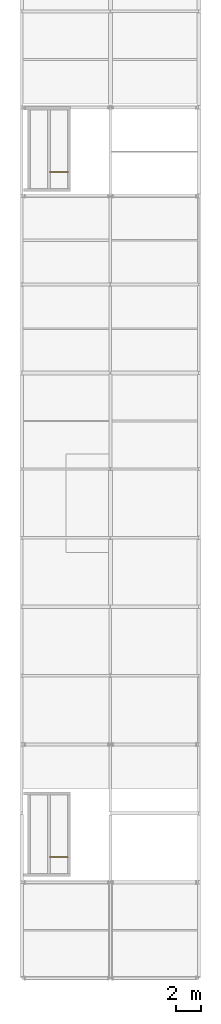
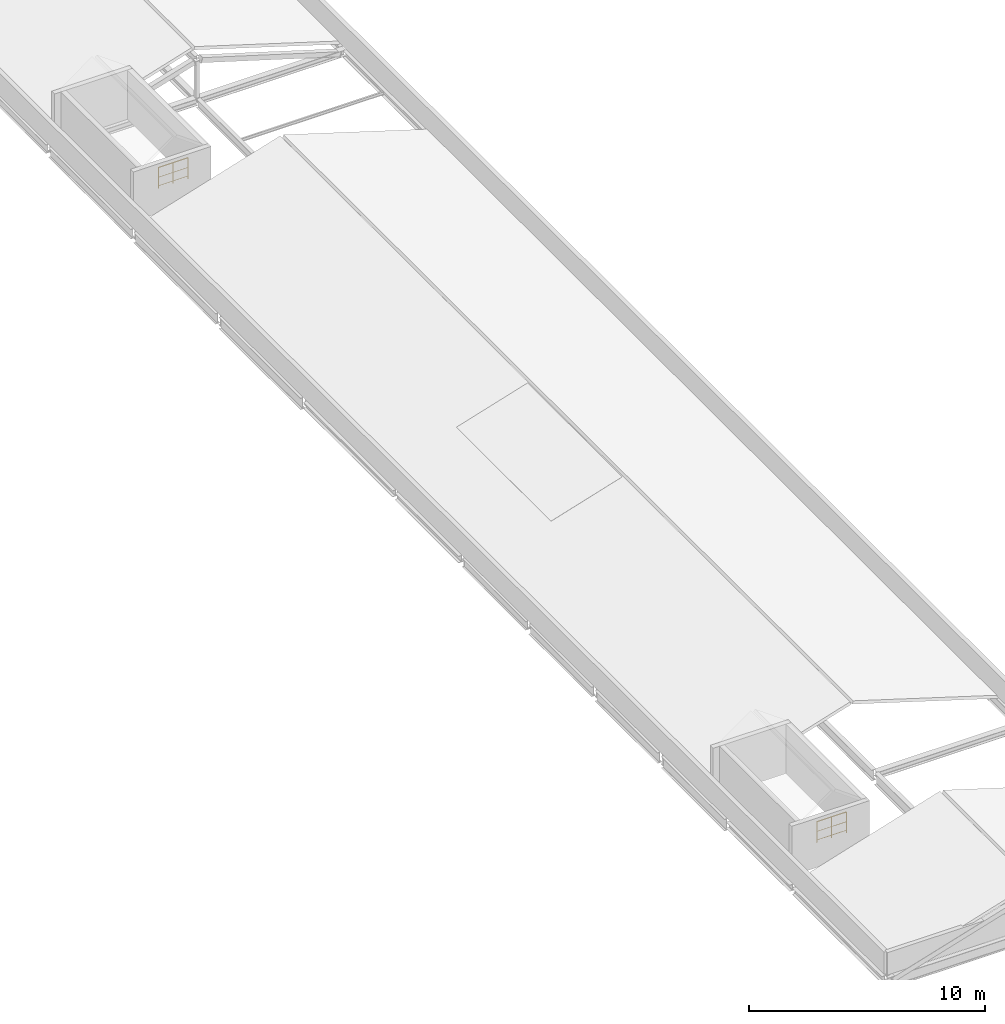
# One storey, part 9 of 9: 2 railings.
"""IFC4 building model written with IfcOpenShell, lengths in metres."""

from ifc_helpers import new_model, si_unit, direction, frame, origin, origin_2d, place, context, subcontext, project, spatial, circle, extrude, material, type_object, element, save


model = new_model("IFC4")

# Units and contexts
model_context = context("Model", 3, precision=1e-05, world=origin(), true_north=direction((0.0, 1.0)))
body_context = subcontext(model_context, "Body", "Model", "MODEL_VIEW")
ifc_project = project(units=[si_unit("LENGTHUNIT", "METRE"), si_unit("AREAUNIT", "SQUARE_METRE"), si_unit("VOLUMEUNIT", "CUBIC_METRE"), si_unit("PLANEANGLEUNIT", "RADIAN"), si_unit("MASSUNIT", "GRAM", prefix="KILO")], contexts=[model_context])

# Site, building, storey
site_placement = place(None, origin())
site = spatial("IfcSite", under=ifc_project, at=site_placement, CompositionType="ELEMENT")
building_placement = place(site_placement, origin())
building = spatial("IfcBuilding", under=site, at=building_placement, Name="Vinh Khe Railworks Police Headquarters", CompositionType="ELEMENT")
storey_placement = place(building_placement, frame((0.0, 0.0, 36.60009765625)))
storey = spatial("IfcBuildingStorey", under=building, at=storey_placement, Name="RF", CompositionType="ELEMENT", Elevation=36.60009765625)

# Railings
ifc_material = material(Name="Painted tubular steel", Category="steel")
railing_type = type_object("IfcRailingType", Name="RL-GUARD-1100", PredefinedType="GUARDRAIL", material=ifc_material)
for number, where, name in (
    (1, (2.889892578125, 27.239990234375, 0.0), "RF ST-01 top well guard 1"),
    (2, (2.889892578125, 82.93994140625, 0.0), "RF ST-02 top well guard 1"),
):
    element("IfcRailing", number, at=place(storey_placement, frame(where)), inside=storey, type_object=railing_type, Name=name, PredefinedType="GUARDRAIL", context=body_context, shape_type="SweptSolid", body=[
        extrude(circle(Radius=0.02392578125, at=origin_2d()), frame((0.0, 0.0, 1.076171875), z_axis=(1.0, 0.0, 0.0), x_axis=(0.0, 1.0, 0.0)), (0.0, 0.0, 1.0), 1.4501953125),
        extrude(circle(Radius=0.01416015625, at=origin_2d()), frame((0.0, 0.0, 0.132080078125), z_axis=(1.0, 0.0, 0.0), x_axis=(0.0, 1.0, 0.0)), (0.0, 0.0, 1.0), 1.4501953125),
        extrude(circle(Radius=0.01416015625, at=origin_2d()), frame((0.0, 0.0, 0.572021484375), z_axis=(1.0, 0.0, 0.0), x_axis=(0.0, 1.0, 0.0)), (0.0, 0.0, 1.0), 1.4501953125),
        extrude(circle(Radius=0.02099609375, at=origin_2d()), origin(), (0.0, 0.0, 1.0), 1.052001953125),
        extrude(circle(Radius=0.02099609375, at=origin_2d()), frame((0.72509765625, 0.0, 0.0)), (0.0, 0.0, 1.0), 1.052001953125),
        extrude(circle(Radius=0.02099609375, at=origin_2d()), frame((1.4501953125, 0.0, 0.0)), (0.0, 0.0, 1.0), 1.052001953125),
    ])

save(model, "model.ifc")
